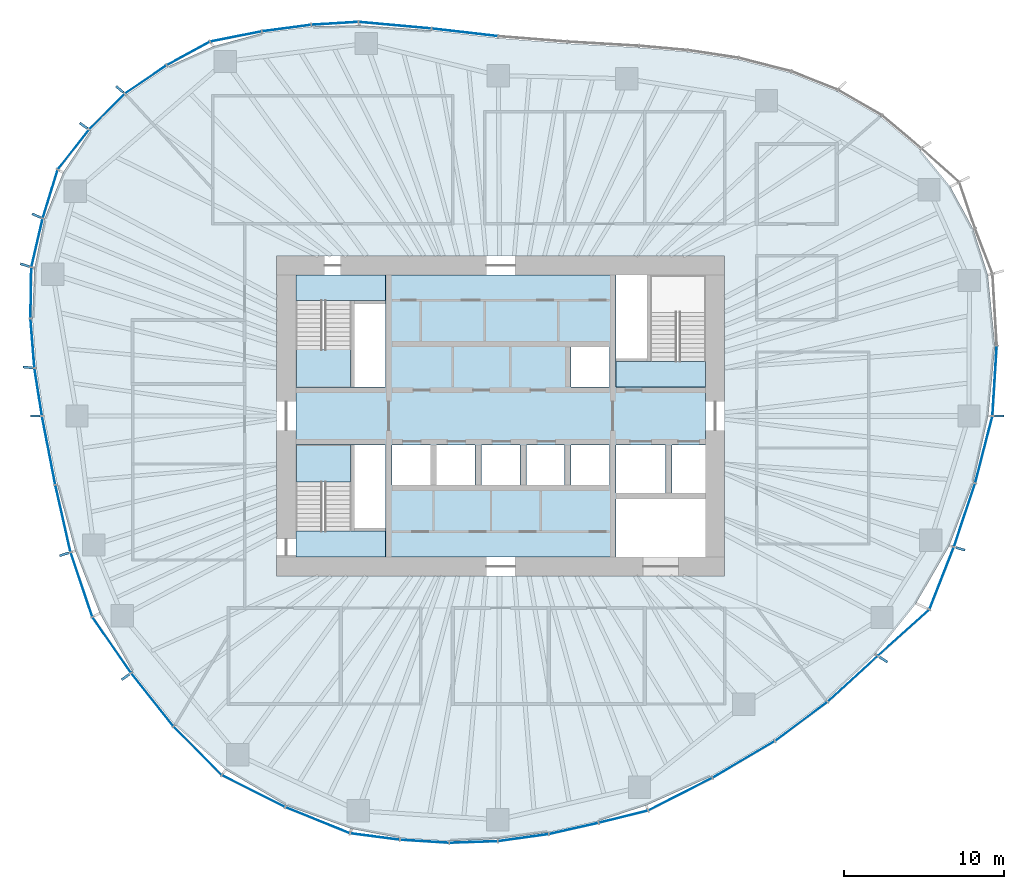
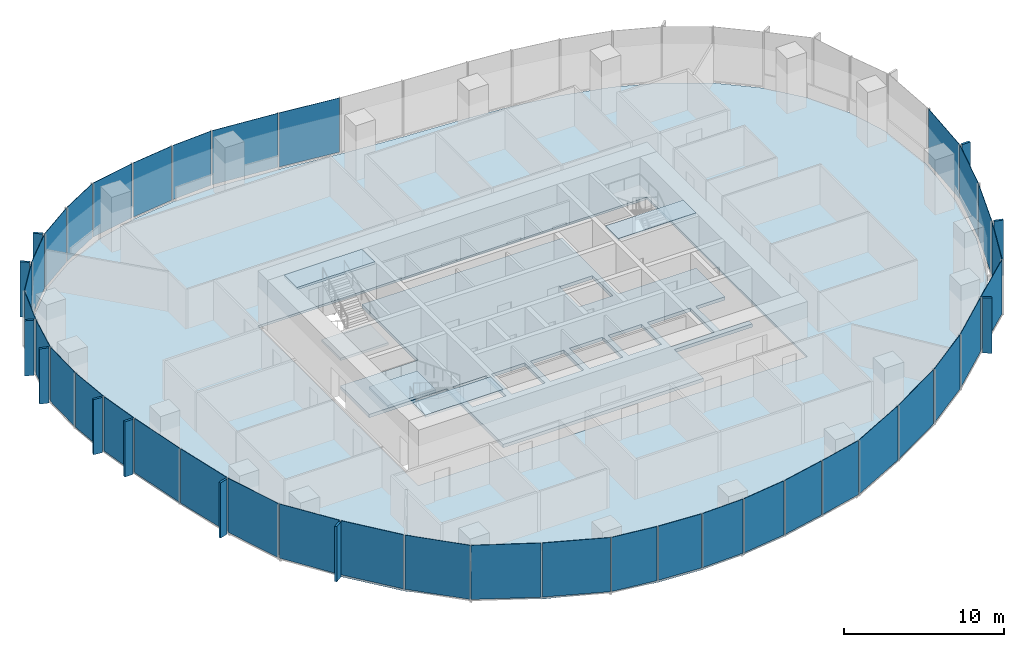
# One storey, part 7 of 18: 48 plates, 7 slabs, 19 elements without a shape of their own.
"""IFC4 building model written with IfcOpenShell, lengths in metres."""

from ifc_helpers import new_model, si_unit, direction, frame, origin, origin_2d, place, context, subcontext, project, spatial, polyline, rectangle, outline, extrude, material, layer, layer_set, type_object, element, aggregate, save


model = new_model("IFC4")

# Units and contexts
model_context = context("Model", 3, precision=1e-05, world=origin(), true_north=direction((0.0, 1.0)))
body_context = subcontext(model_context, "Body", "Model", "MODEL_VIEW")
ifc_project = project(units=[si_unit("LENGTHUNIT", "METRE"), si_unit("AREAUNIT", "SQUARE_METRE"), si_unit("VOLUMEUNIT", "CUBIC_METRE"), si_unit("PLANEANGLEUNIT", "RADIAN"), si_unit("MASSUNIT", "GRAM", prefix="KILO")], contexts=[model_context])

# Site, building, storey
site_placement = place(None, origin())
site = spatial("IfcSite", under=ifc_project, at=site_placement, CompositionType="ELEMENT")
building_placement = place(site_placement, origin())
building = spatial("IfcBuilding", under=site, at=building_placement, Name="Ghaith Harvest Tower", CompositionType="ELEMENT")
storey_placement = place(building_placement, frame((0.0, 0.0, 151.199951171875)))
storey = spatial("IfcBuildingStorey", under=building, at=storey_placement, Name="L32", CompositionType="ELEMENT", Elevation=151.199951171875)

# Curtain wall, plate
ifc_material_1 = material(Name="Black anodised aluminium and fritted glass", Category="aluminium")
curtain_wall_type = type_object("IfcCurtainWallType", Name="CW-L CURTAIN WALL", PredefinedType="NOTDEFINED", material=ifc_material_1)
curtain_wall_1_placement = place(storey_placement, origin())
curtain_wall_1 = element("IfcCurtainWall", 1, at=curtain_wall_1_placement, inside=storey, type_object=curtain_wall_type, Name="Curtain wall CW-L bay 01 L32", PredefinedType="NOTDEFINED")
ifc_material_2 = material(Name="Glass, dark solar-control fritted double glazed unit", Category="glass")
ifc_layer_1 = layer(ifc_material_2, 0.031982421875)
ifc_layer_set_1 = layer_set([ifc_layer_1], Name="CW-L VISION PANEL")
plate_type_1 = type_object("IfcPlateType", Name="CW-L VISION PANEL", PredefinedType="CURTAIN_PANEL", material=ifc_layer_set_1)
plate_1_placement = place(storey_placement, frame((30.86376953125, 2.19482421875, 0.080078125), z_axis=(0.0, 0.0, 1.0), x_axis=(0.061379619468, 0.99811449359, 0.0)))
plate_1 = element("IfcPlate", 2, at=plate_1_placement, type_object=plate_type_1, Name="CW-L glass unit 1 bay 01 L32", PredefinedType="CURTAIN_PANEL", context=body_context, shape_type="SweptSolid", body=[
    extrude(rectangle(XDim=4.318115234375, YDim=0.031982421875, at=origin_2d()), origin(), (0.0, 0.0, 1.0), 4.1201171875),
])
aggregate(curtain_wall_1, [plate_1])

# Curtain wall, plates
curtain_wall_2_placement = place(storey_placement, origin())
curtain_wall_2 = element("IfcCurtainWall", 3, at=curtain_wall_2_placement, inside=storey, type_object=curtain_wall_type, Name="Curtain wall CW-L bay 06 L32", PredefinedType="NOTDEFINED")
plate_2_placement = place(storey_placement, frame((-2.24267578125, 23.968505859375, 0.080078125), z_axis=(0.0, 0.0, 1.0), x_axis=(-0.993477024646, 0.114032458099, 0.0)))
plate_2 = element("IfcPlate", 4, at=plate_2_placement, type_object=plate_type_1, Name="CW-L glass unit 1 bay 06 L32", PredefinedType="CURTAIN_PANEL", context=body_context, shape_type="SweptSolid", body=[
    extrude(rectangle(XDim=4.10791015625, YDim=0.031982421875, at=origin_2d()), origin(), (0.0, 0.0, 1.0), 4.1201171875),
])
plate_3_placement = place(storey_placement, frame((-6.607666015625, 24.4140625, 0.080078125), z_axis=(0.0, 0.0, 1.0), x_axis=(-0.995928776302, 0.090143621701, 0.0)))
plate_3 = element("IfcPlate", 5, at=plate_3_placement, type_object=plate_type_1, Name="CW-L glass unit 2 bay 06 L32", PredefinedType="CURTAIN_PANEL", context=body_context, shape_type="SweptSolid", body=[
    extrude(rectangle(XDim=4.508056640625, YDim=0.031982421875, at=origin_2d()), origin(), (0.0, 0.0, 1.0), 4.1201171875),
])
aggregate(curtain_wall_2, [plate_2, plate_3])

curtain_wall_3_placement = place(storey_placement, origin())
curtain_wall_3 = element("IfcCurtainWall", 6, at=curtain_wall_3_placement, inside=storey, type_object=curtain_wall_type, Name="Curtain wall CW-L bay 07 L32", PredefinedType="NOTDEFINED")
plate_4_placement = place(storey_placement, frame((-10.36669921875, 24.5302734375, 0.080078125), z_axis=(0.0, 0.0, 1.0), x_axis=(-0.998119199641, -0.061303044853, 0.0)))
plate_4 = element("IfcPlate", 7, at=plate_4_placement, type_object=plate_type_1, Name="CW-L glass unit 1 bay 07 L32", PredefinedType="CURTAIN_PANEL", context=body_context, shape_type="SweptSolid", body=[
    extrude(rectangle(XDim=2.874267578125, YDim=0.031982421875, at=origin_2d()), origin(), (0.0, 0.0, 1.0), 4.1201171875),
])
plate_5_placement = place(storey_placement, frame((-13.382568359375, 24.23486328125, 0.080078125), z_axis=(0.0, 0.0, 1.0), x_axis=(-0.991285895369, -0.131728029071, 0.0)))
plate_5 = element("IfcPlate", 8, at=plate_5_placement, type_object=plate_type_1, Name="CW-L glass unit 2 bay 07 L32", PredefinedType="CURTAIN_PANEL", context=body_context, shape_type="SweptSolid", body=[
    extrude(rectangle(XDim=3.02978515625, YDim=0.031982421875, at=origin_2d()), origin(), (0.0, 0.0, 1.0), 4.1201171875),
])
plate_6_placement = place(storey_placement, frame((-16.54443359375, 23.7099609375, 0.080078125), z_axis=(0.0, 0.0, 1.0), x_axis=(-0.981037550101, -0.193817763096, 0.0)))
plate_6 = element("IfcPlate", 9, at=plate_6_placement, type_object=plate_type_1, Name="CW-L glass unit 3 bay 07 L32", PredefinedType="CURTAIN_PANEL", context=body_context, shape_type="SweptSolid", body=[
    extrude(rectangle(XDim=3.22412109375, YDim=0.031982421875, at=origin_2d()), origin(), (0.0, 0.0, 1.0), 4.1201171875),
])
aggregate(curtain_wall_3, [plate_4, plate_5, plate_6])

curtain_wall_4_placement = place(storey_placement, origin())
curtain_wall_4 = element("IfcCurtainWall", 10, at=curtain_wall_4_placement, inside=storey, type_object=curtain_wall_type, Name="Curtain wall CW-L bay 08 L32", PredefinedType="NOTDEFINED")
plate_7_placement = place(storey_placement, frame((-19.520263671875, 22.650634765625, 0.080078125), z_axis=(0.0, 0.0, 1.0), x_axis=(-0.877940384665, -0.478769966659, 0.0)))
plate_7 = element("IfcPlate", 11, at=plate_7_placement, type_object=plate_type_1, Name="CW-L glass unit 1 bay 08 L32", PredefinedType="CURTAIN_PANEL", context=body_context, shape_type="SweptSolid", body=[
    extrude(rectangle(XDim=3.007080078125, YDim=0.031982421875, at=origin_2d()), origin(), (0.0, 0.0, 1.0), 4.1201171875),
])
plate_8_placement = place(storey_placement, frame((-22.182373046875, 21.025390625, 0.080078125), z_axis=(0.0, 0.0, 1.0), x_axis=(-0.827674847773, -0.561207935051, 0.0)))
plate_8 = element("IfcPlate", 12, at=plate_8_placement, type_object=plate_type_1, Name="CW-L glass unit 2 bay 08 L32", PredefinedType="CURTAIN_PANEL", context=body_context, shape_type="SweptSolid", body=[
    extrude(rectangle(XDim=3.078369140625, YDim=0.031982421875, at=origin_2d()), origin(), (0.0, 0.0, 1.0), 4.1201171875),
])
plate_9_placement = place(storey_placement, frame((-24.603759765625, 19.01708984375, 0.080078125), z_axis=(0.0, 0.0, 1.0), x_axis=(-0.704613943896, -0.709590861037, 0.0)))
plate_9 = element("IfcPlate", 13, at=plate_9_placement, type_object=plate_type_1, Name="CW-L glass unit 3 bay 08 L32", PredefinedType="CURTAIN_PANEL", context=body_context, shape_type="SweptSolid", body=[
    extrude(rectangle(XDim=3.0830078125, YDim=0.031982421875, at=origin_2d()), origin(), (0.0, 0.0, 1.0), 4.1201171875),
])
aggregate(curtain_wall_4, [plate_7, plate_8, plate_9])

curtain_wall_5_placement = place(storey_placement, origin())
curtain_wall_5 = element("IfcCurtainWall", 14, at=curtain_wall_5_placement, inside=storey, type_object=curtain_wall_type, Name="Curtain wall CW-L bay 09 L32", PredefinedType="NOTDEFINED")
plate_10_placement = place(storey_placement, frame((-26.69873046875, 16.644775390625, 0.080078125), z_axis=(0.0, 0.0, 1.0), x_axis=(-0.617140806324, -0.786852734106, 0.0)))
plate_10 = element("IfcPlate", 15, at=plate_10_placement, type_object=plate_type_1, Name="CW-L glass unit 1 bay 09 L32", PredefinedType="CURTAIN_PANEL", context=body_context, shape_type="SweptSolid", body=[
    extrude(rectangle(XDim=3.09765625, YDim=0.031982421875, at=origin_2d()), origin(), (0.0, 0.0, 1.0), 4.1201171875),
])
plate_11_placement = place(storey_placement, frame((-28.14794921875, 13.869140625, 0.080078125), z_axis=(0.0, 0.0, 1.0), x_axis=(-0.293802674087, -0.955866093498, 0.0)))
plate_11 = element("IfcPlate", 16, at=plate_11_placement, type_object=plate_type_1, Name="CW-L glass unit 2 bay 09 L32", PredefinedType="CURTAIN_PANEL", context=body_context, shape_type="SweptSolid", body=[
    extrude(rectangle(XDim=3.111328125, YDim=0.031982421875, at=origin_2d()), origin(), (0.0, 0.0, 1.0), 4.1201171875),
])
plate_12_placement = place(storey_placement, frame((-28.9716796875, 10.819091796875, 0.080078125), z_axis=(0.0, 0.0, 1.0), x_axis=(-0.226698962458, -0.973964876379, 0.0)))
plate_12 = element("IfcPlate", 17, at=plate_12_placement, type_object=plate_type_1, Name="CW-L glass unit 3 bay 09 L32", PredefinedType="CURTAIN_PANEL", context=body_context, shape_type="SweptSolid", body=[
    extrude(rectangle(XDim=3.05126953125, YDim=0.031982421875, at=origin_2d()), origin(), (0.0, 0.0, 1.0), 4.1201171875),
])
aggregate(curtain_wall_5, [plate_10, plate_11, plate_12])

curtain_wall_6_placement = place(storey_placement, origin())
curtain_wall_6 = element("IfcCurtainWall", 18, at=curtain_wall_6_placement, inside=storey, type_object=curtain_wall_type, Name="Curtain wall CW-L bay 10 L32", PredefinedType="NOTDEFINED")
plate_13_placement = place(storey_placement, frame((-29.352294921875, 7.695068359375, 0.080078125), z_axis=(0.0, 0.0, 1.0), x_axis=(-0.016034106433, -0.999871445452, 0.0)))
plate_13 = element("IfcPlate", 19, at=plate_13_placement, type_object=plate_type_1, Name="CW-L glass unit 1 bay 10 L32", PredefinedType="CURTAIN_PANEL", context=body_context, shape_type="SweptSolid", body=[
    extrude(rectangle(XDim=3.118408203125, YDim=0.031982421875, at=origin_2d()), origin(), (0.0, 0.0, 1.0), 4.1201171875),
])
plate_14_placement = place(storey_placement, frame((-29.25439453125, 4.54345703125, 0.080078125), z_axis=(0.0, 0.0, 1.0), x_axis=(0.079273335663, -0.996852917061, 0.0)))
plate_14 = element("IfcPlate", 20, at=plate_14_placement, type_object=plate_type_1, Name="CW-L glass unit 2 bay 10 L32", PredefinedType="CURTAIN_PANEL", context=body_context, shape_type="SweptSolid", body=[
    extrude(rectangle(XDim=3.035400390625, YDim=0.031982421875, at=origin_2d()), origin(), (0.0, 0.0, 1.0), 4.1201171875),
])
plate_15_placement = place(storey_placement, frame((-28.896240234375, 1.495361328125, 0.080078125), z_axis=(0.0, 0.0, 1.0), x_axis=(0.155172175389, -0.987887440949, 0.0)))
plate_15 = element("IfcPlate", 21, at=plate_15_placement, type_object=plate_type_1, Name="CW-L glass unit 3 bay 10 L32", PredefinedType="CURTAIN_PANEL", context=body_context, shape_type="SweptSolid", body=[
    extrude(rectangle(XDim=2.947265625, YDim=0.031982421875, at=origin_2d()), origin(), (0.0, 0.0, 1.0), 4.1201171875),
])
aggregate(curtain_wall_6, [plate_13, plate_14, plate_15])

curtain_wall_7_placement = place(storey_placement, origin())
curtain_wall_7 = element("IfcCurtainWall", 22, at=curtain_wall_7_placement, inside=storey, type_object=curtain_wall_type, Name="Curtain wall CW-L bay 11 L32", PredefinedType="NOTDEFINED")
plate_16_placement = place(storey_placement, frame((-28.24462890625, -2.152099609375, 0.080078125), z_axis=(0.0, 0.0, 1.0), x_axis=(0.190044913274, -0.981775397399, 0.0)))
plate_16 = element("IfcPlate", 23, at=plate_16_placement, type_object=plate_type_1, Name="CW-L glass unit 1 bay 11 L32", PredefinedType="CURTAIN_PANEL", context=body_context, shape_type="SweptSolid", body=[
    extrude(rectangle(XDim=4.303955078125, YDim=0.031982421875, at=origin_2d()), origin(), (0.0, 0.0, 1.0), 4.1201171875),
])
plate_17_placement = place(storey_placement, frame((-27.351806640625, -6.41064453125, 0.080078125), z_axis=(0.0, 0.0, 1.0), x_axis=(0.220483469245, -0.975390711351, 0.0)))
plate_17 = element("IfcPlate", 24, at=plate_17_placement, type_object=plate_type_1, Name="CW-L glass unit 2 bay 11 L32", PredefinedType="CURTAIN_PANEL", context=body_context, shape_type="SweptSolid", body=[
    extrude(rectangle(XDim=4.239501953125, YDim=0.031982421875, at=origin_2d()), origin(), (0.0, 0.0, 1.0), 4.1201171875),
])
aggregate(curtain_wall_7, [plate_16, plate_17])

curtain_wall_8_placement = place(storey_placement, origin())
curtain_wall_8 = element("IfcCurtainWall", 25, at=curtain_wall_8_placement, inside=storey, type_object=curtain_wall_type, Name="Curtain wall CW-L bay 12 L32", PredefinedType="NOTDEFINED")
plate_18_placement = place(storey_placement, frame((-26.194580078125, -10.537841796875, 0.080078125), z_axis=(0.0, 0.0, 1.0), x_axis=(0.319477383729, -0.947593901039, 0.0)))
plate_18 = element("IfcPlate", 26, at=plate_18_placement, type_object=plate_type_1, Name="CW-L glass unit 1 bay 12 L32", PredefinedType="CURTAIN_PANEL", context=body_context, shape_type="SweptSolid", body=[
    extrude(rectangle(XDim=4.184326171875, YDim=0.031982421875, at=origin_2d()), origin(), (0.0, 0.0, 1.0), 4.1201171875),
])
plate_19_placement = place(storey_placement, frame((-24.3017578125, -14.312255859375, 0.080078125), z_axis=(0.0, 0.0, 1.0), x_axis=(0.568347699633, -0.822788485774, 0.0)))
plate_19 = element("IfcPlate", 27, at=plate_19_placement, type_object=plate_type_1, Name="CW-L glass unit 2 bay 12 L32", PredefinedType="CURTAIN_PANEL", context=body_context, shape_type="SweptSolid", body=[
    extrude(rectangle(XDim=4.18359375, YDim=0.031982421875, at=origin_2d()), origin(), (0.0, 0.0, 1.0), 4.1201171875),
])
aggregate(curtain_wall_8, [plate_18, plate_19])

curtain_wall_9_placement = place(storey_placement, origin())
curtain_wall_9 = element("IfcCurtainWall", 28, at=curtain_wall_9_placement, inside=storey, type_object=curtain_wall_type, Name="Curtain wall CW-L bay 13 L32", PredefinedType="NOTDEFINED")
plate_20_placement = place(storey_placement, frame((-21.765625, -17.7314453125, 0.080078125), z_axis=(0.0, 0.0, 1.0), x_axis=(0.622507360482, -0.782613944513, 0.0)))
plate_20 = element("IfcPlate", 29, at=plate_20_placement, type_object=plate_type_1, Name="CW-L glass unit 1 bay 13 L32", PredefinedType="CURTAIN_PANEL", context=body_context, shape_type="SweptSolid", body=[
    extrude(rectangle(XDim=4.175537109375, YDim=0.031982421875, at=origin_2d()), origin(), (0.0, 0.0, 1.0), 4.1201171875),
])
plate_21_placement = place(storey_placement, frame((-18.935791015625, -20.920166015625, 0.080078125), z_axis=(0.0, 0.0, 1.0), x_axis=(0.702843151286, -0.711344856375, 0.0)))
plate_21 = element("IfcPlate", 30, at=plate_21_placement, type_object=plate_type_1, Name="CW-L glass unit 2 bay 13 L32", PredefinedType="CURTAIN_PANEL", context=body_context, shape_type="SweptSolid", body=[
    extrude(rectangle(XDim=4.203369140625, YDim=0.031982421875, at=origin_2d()), origin(), (0.0, 0.0, 1.0), 4.1201171875),
])
aggregate(curtain_wall_9, [plate_20, plate_21])

curtain_wall_10_placement = place(storey_placement, origin())
curtain_wall_10 = element("IfcCurtainWall", 31, at=curtain_wall_10_placement, inside=storey, type_object=curtain_wall_type, Name="Curtain wall CW-L bay 14 L32", PredefinedType="NOTDEFINED")
plate_22_placement = place(storey_placement, frame((-15.44677734375, -23.443115234375, 0.080078125), z_axis=(0.0, 0.0, 1.0), x_axis=(0.893062297869, -0.449933030712, 0.0)))
plate_22 = element("IfcPlate", 32, at=plate_22_placement, type_object=plate_type_1, Name="CW-L glass unit 1 bay 14 L32", PredefinedType="CURTAIN_PANEL", context=body_context, shape_type="SweptSolid", body=[
    extrude(rectangle(XDim=4.362548828125, YDim=0.031982421875, at=origin_2d()), origin(), (0.0, 0.0, 1.0), 4.1201171875),
])
plate_23_placement = place(storey_placement, frame((-11.441162109375, -25.260498046875, 0.080078125), z_axis=(0.0, 0.0, 1.0), x_axis=(0.927002522537, -0.375055093567, 0.0)))
plate_23 = element("IfcPlate", 33, at=plate_23_placement, type_object=plate_type_1, Name="CW-L glass unit 2 bay 14 L32", PredefinedType="CURTAIN_PANEL", context=body_context, shape_type="SweptSolid", body=[
    extrude(rectangle(XDim=4.282470703125, YDim=0.031982421875, at=origin_2d()), origin(), (0.0, 0.0, 1.0), 4.1201171875),
])
aggregate(curtain_wall_10, [plate_22, plate_23])

curtain_wall_11_placement = place(storey_placement, origin())
curtain_wall_11 = element("IfcCurtainWall", 34, at=curtain_wall_11_placement, inside=storey, type_object=curtain_wall_type, Name="Curtain wall CW-L bay 15 L32", PredefinedType="NOTDEFINED")
plate_24_placement = place(storey_placement, frame((-7.856689453125, -26.281005859375, 0.080078125), z_axis=(0.0, 0.0, 1.0), x_axis=(0.99172348392, -0.128392100386, 0.0)))
plate_24 = element("IfcPlate", 35, at=plate_24_placement, type_object=plate_type_1, Name="CW-L glass unit 1 bay 15 L32", PredefinedType="CURTAIN_PANEL", context=body_context, shape_type="SweptSolid", body=[
    extrude(rectangle(XDim=3.07080078125, YDim=0.031982421875, at=origin_2d()), origin(), (0.0, 0.0, 1.0), 4.1201171875),
])
plate_25_placement = place(storey_placement, frame((-4.7568359375, -26.57958984375, 0.080078125), z_axis=(0.0, 0.0, 1.0), x_axis=(0.998038280843, -0.062606628824, 0.0)))
plate_25 = element("IfcPlate", 36, at=plate_25_placement, type_object=plate_type_1, Name="CW-L glass unit 2 bay 15 L32", PredefinedType="CURTAIN_PANEL", context=body_context, shape_type="SweptSolid", body=[
    extrude(rectangle(XDim=3.001220703125, YDim=0.031982421875, at=origin_2d()), origin(), (0.0, 0.0, 1.0), 4.1201171875),
])
plate_26_placement = place(storey_placement, frame((-1.700439453125, -26.624755859375, 0.080078125), z_axis=(0.0, 0.0, 1.0), x_axis=(0.999431515426, 0.033714180603, 0.0)))
plate_26 = element("IfcPlate", 37, at=plate_26_placement, type_object=plate_type_1, Name="CW-L glass unit 3 bay 15 L32", PredefinedType="CURTAIN_PANEL", context=body_context, shape_type="SweptSolid", body=[
    extrude(rectangle(XDim=2.958984375, YDim=0.031982421875, at=origin_2d()), origin(), (0.0, 0.0, 1.0), 4.1201171875),
])
aggregate(curtain_wall_11, [plate_24, plate_25, plate_26])

curtain_wall_12_placement = place(storey_placement, origin())
curtain_wall_12 = element("IfcCurtainWall", 38, at=curtain_wall_12_placement, inside=storey, type_object=curtain_wall_type, Name="Curtain wall CW-L bay 16 L32", PredefinedType="NOTDEFINED")
plate_27_placement = place(storey_placement, frame((1.4140625, -26.3515625, 0.080078125), z_axis=(0.0, 0.0, 1.0), x_axis=(0.990448098003, 0.137886058621, 0.0)))
plate_27 = element("IfcPlate", 39, at=plate_27_placement, type_object=plate_type_1, Name="CW-L glass unit 1 bay 16 L32", PredefinedType="CURTAIN_PANEL", context=body_context, shape_type="SweptSolid", body=[
    extrude(rectangle(XDim=3.142578125, YDim=0.031982421875, at=origin_2d()), origin(), (0.0, 0.0, 1.0), 4.1201171875),
])
plate_28_placement = place(storey_placement, frame((4.565185546875, -25.77734375, 0.080078125), z_axis=(0.0, 0.0, 1.0), x_axis=(0.975341754172, 0.220699937852, 0.0)))
plate_28 = element("IfcPlate", 40, at=plate_28_placement, type_object=plate_type_1, Name="CW-L glass unit 2 bay 16 L32", PredefinedType="CURTAIN_PANEL", context=body_context, shape_type="SweptSolid", body=[
    extrude(rectangle(XDim=3.10888671875, YDim=0.031982421875, at=origin_2d()), origin(), (0.0, 0.0, 1.0), 4.1201171875),
])
plate_29_placement = place(storey_placement, frame((7.66845703125, -25.0400390625, 0.080078125), z_axis=(0.0, 0.0, 1.0), x_axis=(0.970384283801, 0.241566433413, 0.0)))
plate_29 = element("IfcPlate", 41, at=plate_29_placement, type_object=plate_type_1, Name="CW-L glass unit 3 bay 16 L32", PredefinedType="CURTAIN_PANEL", context=body_context, shape_type="SweptSolid", body=[
    extrude(rectangle(XDim=3.111083984375, YDim=0.031982421875, at=origin_2d()), origin(), (0.0, 0.0, 1.0), 4.1201171875),
])
aggregate(curtain_wall_12, [plate_27, plate_28, plate_29])

curtain_wall_13_placement = place(storey_placement, origin())
curtain_wall_13 = element("IfcCurtainWall", 42, at=curtain_wall_13_placement, inside=storey, type_object=curtain_wall_type, Name="Curtain wall CW-L bay 17 L32", PredefinedType="NOTDEFINED")
plate_30_placement = place(storey_placement, frame((11.220703125, -23.63427734375, 0.080078125), z_axis=(0.0, 0.0, 1.0), x_axis=(0.891126766056, 0.453754434489, 0.0)))
plate_30 = element("IfcPlate", 43, at=plate_30_placement, type_object=plate_type_1, Name="CW-L glass unit 1 bay 17 L32", PredefinedType="CURTAIN_PANEL", context=body_context, shape_type="SweptSolid", body=[
    extrude(rectangle(XDim=4.417236328125, YDim=0.031982421875, at=origin_2d()), origin(), (0.0, 0.0, 1.0), 4.1201171875),
])
plate_31_placement = place(storey_placement, frame((15.17822265625, -21.46484375, 0.080078125), z_axis=(0.0, 0.0, 1.0), x_axis=(0.861979497965, 0.506943137924, 0.0)))
plate_31 = element("IfcPlate", 44, at=plate_31_placement, type_object=plate_type_1, Name="CW-L glass unit 2 bay 17 L32", PredefinedType="CURTAIN_PANEL", context=body_context, shape_type="SweptSolid", body=[
    extrude(rectangle(XDim=4.453125, YDim=0.031982421875, at=origin_2d()), origin(), (0.0, 0.0, 1.0), 4.1201171875),
])
aggregate(curtain_wall_13, [plate_30, plate_31])

curtain_wall_14_placement = place(storey_placement, origin())
curtain_wall_14 = element("IfcCurtainWall", 45, at=curtain_wall_14_placement, inside=storey, type_object=curtain_wall_type, Name="Curtain wall CW-L bay 18 L32", PredefinedType="NOTDEFINED")
plate_32_placement = place(storey_placement, frame((18.78076171875, -19.08984375, 0.080078125), z_axis=(0.0, 0.0, 1.0), x_axis=(0.802462370117, 0.596702727115, 0.0)))
plate_32 = element("IfcPlate", 46, at=plate_32_placement, type_object=plate_type_1, Name="CW-L glass unit 1 bay 18 L32", PredefinedType="CURTAIN_PANEL", context=body_context, shape_type="SweptSolid", body=[
    extrude(rectangle(XDim=4.029541015625, YDim=0.031982421875, at=origin_2d()), origin(), (0.0, 0.0, 1.0), 4.1201171875),
])
plate_33_placement = place(storey_placement, frame((21.9951171875, -16.428955078125, 0.080078125), z_axis=(0.0, 0.0, 1.0), x_axis=(0.737201663563, 0.675672781189, 0.0)))
plate_33 = element("IfcPlate", 47, at=plate_33_placement, type_object=plate_type_1, Name="CW-L glass unit 2 bay 18 L32", PredefinedType="CURTAIN_PANEL", context=body_context, shape_type="SweptSolid", body=[
    extrude(rectangle(XDim=4.1669921875, YDim=0.031982421875, at=origin_2d()), origin(), (0.0, 0.0, 1.0), 4.1201171875),
])
aggregate(curtain_wall_14, [plate_32, plate_33])

curtain_wall_15_placement = place(storey_placement, origin())
curtain_wall_15 = element("IfcCurtainWall", 48, at=curtain_wall_15_placement, inside=storey, type_object=curtain_wall_type, Name="Curtain wall CW-L bay 19 L32", PredefinedType="NOTDEFINED")
plate_34_placement = place(storey_placement, frame((25.17333984375, -13.54345703125, 0.080078125), z_axis=(0.0, 0.0, 1.0), x_axis=(0.743493028761, 0.668743684968, 0.0)))
plate_34 = element("IfcPlate", 49, at=plate_34_placement, type_object=plate_type_1, Name="CW-L glass unit 1 bay 19 L32", PredefinedType="CURTAIN_PANEL", context=body_context, shape_type="SweptSolid", body=[
    extrude(rectangle(XDim=4.2587890625, YDim=0.031982421875, at=origin_2d()), origin(), (0.0, 0.0, 1.0), 4.1201171875),
])
plate_35_placement = place(storey_placement, frame((27.552978515625, -10.138916015625, 0.080078125), z_axis=(0.0, 0.0, 1.0), x_axis=(0.365226458984, 0.930918704108, 0.0)))
plate_35 = element("IfcPlate", 50, at=plate_35_placement, type_object=plate_type_1, Name="CW-L glass unit 2 bay 19 L32", PredefinedType="CURTAIN_PANEL", context=body_context, shape_type="SweptSolid", body=[
    extrude(rectangle(XDim=4.11767578125, YDim=0.031982421875, at=origin_2d()), origin(), (0.0, 0.0, 1.0), 4.1201171875),
])
aggregate(curtain_wall_15, [plate_34, plate_35])

curtain_wall_16_placement = place(storey_placement, origin())
curtain_wall_16 = element("IfcCurtainWall", 51, at=curtain_wall_16_placement, inside=storey, type_object=curtain_wall_type, Name="Curtain wall CW-L bay 20 L32", PredefinedType="NOTDEFINED")
plate_36_placement = place(storey_placement, frame((28.982666015625, -6.191650390625, 0.080078125), z_axis=(0.0, 0.0, 1.0), x_axis=(0.315708038084, 0.948856382541, 0.0)))
plate_36 = element("IfcPlate", 52, at=plate_36_placement, type_object=plate_type_1, Name="CW-L glass unit 1 bay 20 L32", PredefinedType="CURTAIN_PANEL", context=body_context, shape_type="SweptSolid", body=[
    extrude(rectangle(XDim=4.12158203125, YDim=0.031982421875, at=origin_2d()), origin(), (0.0, 0.0, 1.0), 4.1201171875),
])
plate_37_placement = place(storey_placement, frame((30.187255859375, -2.09912109375, 0.080078125), z_axis=(0.0, 0.0, 1.0), x_axis=(0.24974411022, 0.968311870944, 0.0)))
plate_37 = element("IfcPlate", 53, at=plate_37_placement, type_object=plate_type_1, Name="CW-L glass unit 2 bay 20 L32", PredefinedType="CURTAIN_PANEL", context=body_context, shape_type="SweptSolid", body=[
    extrude(rectangle(XDim=4.255615234375, YDim=0.031982421875, at=origin_2d()), origin(), (0.0, 0.0, 1.0), 4.1201171875),
])
aggregate(curtain_wall_16, [plate_36, plate_37])

# Slabs
ifc_material_3 = material(Name="Concrete C40/50", Category="concrete")
ifc_layer_2 = layer(ifc_material_3, 0.169921875)
ifc_layer_set_2 = layer_set([ifc_layer_2], Name="FLOOR SLAB 170")
slab_type_1 = type_object("IfcSlabType", Name="FLOOR SLAB 170", PredefinedType="FLOOR", material=ifc_layer_set_2)
slab_1_placement = place(storey_placement, frame((0.0, 0.0, -0.169921875)))
element("IfcSlab", 54, at=slab_1_placement, inside=storey, type_object=slab_type_1, Name="Floor slab L32", PredefinedType="FLOOR", context=body_context, shape_type="SweptSolid", body=[
    extrude(outline(polyline([(30.458740234375, 0.0), (30.8798828125, 4.373046875), (30.439208984375, 8.797607421875), (29.52294921875, 11.671875), (28.0888671875, 14.32568359375), (26.179443359375, 16.660888671875), (23.7275390625, 18.718017578125), (20.97998046875, 20.3056640625), (18.0849609375, 21.4462890625), (14.79833984375, 22.27978515625), (11.617919921875, 22.757080078125), (8.604736328125, 23.017333984375), (4.125732421875, 23.272705078125), (-0.16162109375, 23.609619140625), (-4.302001953125, 24.089111328125), (-8.814208984375, 24.404541015625), (-11.788818359375, 24.331787109375), (-14.860595703125, 23.927978515625), (-17.938232421875, 23.097412109375), (-20.79248046875, 21.82470703125), (-23.398193359375, 20.06103515625), (-25.61962890625, 17.826416015625), (-27.33837890625, 15.204833984375), (-28.506591796875, 12.29638671875), (-29.12646484375, 9.230712890625), (-29.260498046875, 6.07177734375), (-29.01171875, 2.978271484375), (-28.541259765625, 0.0), (-27.70947265625, -4.285888671875), (-26.580078125, -8.423583984375), (-25.046875, -12.32861328125), (-22.99169921875, -15.997802734375), (-20.35400390625, -19.31396484375), (-17.1728515625, -22.11181640625), (-13.4052734375, -24.33740234375), (-9.317138671875, -25.79638671875), (-6.2666015625, -26.366455078125), (-3.204833984375, -26.556884765625), (-0.180908203125, -26.423583984375), (2.99609375, -26.010009765625), (6.09228515625, -25.308837890625), (9.09423828125, -24.326904296875), (13.163818359375, -22.510498046875), (17.054443359375, -20.22412109375), (20.33935546875, -17.784912109375), (23.400390625, -14.89208984375), (25.94775390625, -11.714111328125), (28.03125, -8.1015625), (29.527099609375, -4.181396484375), (30.458740234375, 0.0)]), holes=[polyline([(-14.0, -10.0), (14.0, -10.0), (14.0, 10.0), (-14.0, 10.0), (-14.0, -10.0)])]), origin(), (0.0, 0.0, 1.0), 0.169921875),
])
ifc_material_4 = material(Name="Concrete C40/50", Category="concrete")
ifc_layer_3 = layer(ifc_material_4, 0.25)
ifc_layer_set_3 = layer_set([ifc_layer_3], Name="FLOOR SLAB 250")
slab_type_2 = type_object("IfcSlabType", Name="FLOOR SLAB 250", PredefinedType="FLOOR", material=ifc_layer_set_3)
slab_2_placement = place(storey_placement, frame((0.0, 0.0, -0.25)))
element("IfcSlab", 55, at=slab_2_placement, inside=storey, type_object=slab_type_2, Name="Core slab L32", PredefinedType="FLOOR", context=body_context, shape_type="SweptSolid", body=[
    extrude(outline(polyline([(-12.800048828125, 1.800048828125), (-7.199951171875, 1.800048828125), (-7.199951171875, 8.800048828125), (7.199951171875, 8.800048828125), (7.199951171875, 1.800048828125), (12.800048828125, 1.800048828125), (12.800048828125, -1.800048828125), (10.699951171875, -1.800048828125), (10.699951171875, -4.800048828125), (12.800048828125, -4.800048828125), (12.800048828125, -5.199951171875), (7.199951171875, -5.199951171875), (7.199951171875, -8.800048828125), (-7.199951171875, -8.800048828125), (-7.199951171875, -1.800048828125), (-12.800048828125, -1.800048828125), (-12.800048828125, 1.800048828125)]), holes=[polyline([(-4.39990234375, -4.300048828125), (-4.39990234375, -1.800048828125), (-6.800048828125, -1.800048828125), (-6.800048828125, -4.300048828125), (-4.39990234375, -4.300048828125)]), polyline([(-1.60009765625, -4.300048828125), (-1.60009765625, -1.800048828125), (-4.0, -1.800048828125), (-4.0, -4.300048828125), (-1.60009765625, -4.300048828125)]), polyline([(1.199951171875, -1.800048828125), (-1.199951171875, -1.800048828125), (-1.199951171875, -4.300048828125), (1.199951171875, -4.300048828125), (1.199951171875, -1.800048828125)]), polyline([(4.0, -4.300048828125), (4.0, -1.800048828125), (1.60009765625, -1.800048828125), (1.60009765625, -4.300048828125), (4.0, -4.300048828125)]), polyline([(10.300048828125, -4.800048828125), (10.300048828125, -1.800048828125), (7.199951171875, -1.800048828125), (7.199951171875, -4.800048828125), (10.300048828125, -4.800048828125)]), polyline([(6.800048828125, -1.800048828125), (4.39990234375, -1.800048828125), (4.39990234375, -4.300048828125), (6.800048828125, -4.300048828125), (6.800048828125, -1.800048828125)]), polyline([(6.800048828125, 1.800048828125), (6.800048828125, 4.300048828125), (4.39990234375, 4.300048828125), (4.39990234375, 1.800048828125), (6.800048828125, 1.800048828125)])]), origin(), (0.0, 0.0, 1.0), 0.25),
])

# Stair, slabs
ifc_material_5 = material(Name="Concrete C40/50, precast", Category="concrete")
stair_type = type_object("IfcStairType", Name="CORE STAIR 24R", PredefinedType="HALF_TURN_STAIR", material=ifc_material_5)
stair_1_placement = place(storey_placement, origin())
stair_1 = element("IfcStair", 56, at=stair_1_placement, inside=storey, type_object=stair_type, Name="Stair ST1 L32", PredefinedType="HALF_TURN_STAIR")
ifc_material_6 = material(Name="Concrete C40/50, precast", Category="concrete")
ifc_layer_4 = layer(ifc_material_6, 0.179931640625)
ifc_layer_set_4 = layer_set([ifc_layer_4], Name="STAIR LANDING 180")
slab_type_3 = type_object("IfcSlabType", Name="STAIR LANDING 180", PredefinedType="LANDING", material=ifc_layer_set_4)
slab_3_placement = place(storey_placement, frame((0.0, 0.0, 1.920166015625)))
slab_3 = element("IfcSlab", 57, at=slab_3_placement, type_object=slab_type_3, Name="ST1 landing 1", PredefinedType="LANDING", context=body_context, shape_type="SweptSolid", body=[
    extrude(outline(polyline([(-12.800048828125, 4.139892578125), (-12.800048828125, 1.77490234375), (-9.35009765625, 1.77490234375), (-9.35009765625, 4.139892578125), (-12.800048828125, 4.139892578125)])), origin(), (0.0, 0.0, 1.0), 0.179931640625),
])
slab_4_placement = place(storey_placement, frame((0.0, 0.0, 4.02001953125)))
slab_4 = element("IfcSlab", 58, at=slab_4_placement, type_object=slab_type_3, Name="ST1 landing 2", PredefinedType="LANDING", context=body_context, shape_type="SweptSolid", body=[
    extrude(outline(polyline([(-12.800048828125, 8.800048828125), (-12.800048828125, 7.199951171875), (-7.199951171875, 7.199951171875), (-7.199951171875, 8.800048828125), (-12.800048828125, 8.800048828125)])), origin(), (0.0, 0.0, 1.0), 0.179931640625),
])
aggregate(stair_1, [slab_3, slab_4])

stair_2_placement = place(storey_placement, origin())
stair_2 = element("IfcStair", 59, at=stair_2_placement, inside=storey, type_object=stair_type, Name="Stair ST3 L32", PredefinedType="HALF_TURN_STAIR")
slab_5_placement = place(storey_placement, frame((0.0, 0.0, 1.920166015625)))
slab_5 = element("IfcSlab", 60, at=slab_5_placement, type_object=slab_type_3, Name="ST3 landing 1", PredefinedType="LANDING", context=body_context, shape_type="SweptSolid", body=[
    extrude(outline(polyline([(-12.800048828125, -4.139892578125), (-12.800048828125, -1.77490234375), (-9.35009765625, -1.77490234375), (-9.35009765625, -4.139892578125), (-12.800048828125, -4.139892578125)])), origin(), (0.0, 0.0, 1.0), 0.179931640625),
])
slab_6_placement = place(storey_placement, frame((0.0, 0.0, 4.02001953125)))
slab_6 = element("IfcSlab", 61, at=slab_6_placement, type_object=slab_type_3, Name="ST3 landing 2", PredefinedType="LANDING", context=body_context, shape_type="SweptSolid", body=[
    extrude(outline(polyline([(-12.800048828125, -8.800048828125), (-12.800048828125, -7.199951171875), (-7.199951171875, -7.199951171875), (-7.199951171875, -8.800048828125), (-12.800048828125, -8.800048828125)])), origin(), (0.0, 0.0, 1.0), 0.179931640625),
])
aggregate(stair_2, [slab_5, slab_6])

# Stair, slab
stair_3_placement = place(storey_placement, origin())
stair_3 = element("IfcStair", 62, at=stair_3_placement, inside=storey, type_object=stair_type, Name="Stair ST2 L32", PredefinedType="HALF_TURN_STAIR")
slab_7_placement = place(storey_placement, frame((0.0, 0.0, 4.02001953125)))
slab_7 = element("IfcSlab", 63, at=slab_7_placement, type_object=slab_type_3, Name="ST2 landing 2", PredefinedType="LANDING", context=body_context, shape_type="SweptSolid", body=[
    extrude(outline(polyline([(12.800048828125, 1.800048828125), (12.800048828125, 3.39990234375), (7.199951171875, 3.39990234375), (7.199951171875, 1.800048828125), (12.800048828125, 1.800048828125)])), origin(), (0.0, 0.0, 1.0), 0.179931640625),
])
aggregate(stair_3, [slab_7])

# Plates
ifc_material_7 = material(Name="Glassfibre-reinforced concrete", Category="concrete")
ifc_layer_5 = layer(ifc_material_7, 0.14990234375)
ifc_layer_set_5 = layer_set([ifc_layer_5], Name="SUN-BREAKER FIN 600x150")
plate_type_2 = type_object("IfcPlateType", Name="SUN-BREAKER FIN 600x150", PredefinedType="USERDEFINED", material=ifc_layer_set_5)
for number, where, z_axis, x_axis, name in (
    (64, (31.148681640625, 0.0, 0.0), (0.0, 0.0, 1.0), (1.0, 0.0, 0.0), "Sun-breaker fin CW-L 1 bay 01 L32"),
    (65, (-23.808349609375, 20.41259765625, 0.0), (0.0, 0.0, 1.0), (-0.759169742643, 0.650892696115, 0.0), "Sun-breaker fin CW-L 3 bay 08 L32"),
    (66, (-26.06298828125, 18.134765625, 0.0), (0.0, 0.0, 1.0), (-0.820845486523, 0.571150319316, 0.0), "Sun-breaker fin CW-L 1 bay 09 L32"),
    (67, (-29.00244140625, 12.51025390625, 0.0), (0.0, 0.0, 1.0), (-0.918217993215, 0.396075392995, 0.0), "Sun-breaker fin CW-L 3 bay 09 L32"),
    (68, (-29.72705078125, 9.4208984375, 0.0), (0.0, 0.0, 1.0), (-0.953273219358, 0.302109531884, 0.0), "Sun-breaker fin CW-L 1 bay 10 L32"),
    (69, (-29.548828125, 3.033447265625, 0.0), (0.0, 0.0, 1.0), (-0.994771752973, 0.102123256344, 0.0), "Sun-breaker fin CW-L 3 bay 10 L32"),
    (70, (-29.081298828125, 0.0, 0.0), (0.0, 0.0, 1.0), (-1.0, -4.19e-10, 0.0), "Sun-breaker fin CW-L 1 bay 11 L32"),
    (71, (-27.276123046875, -8.644287109375, 0.0), (0.0, 0.0, 1.0), (-0.953273219416, -0.302109531701, 0.0), "Sun-breaker fin CW-L 1 bay 12 L32"),
    (72, (-23.434814453125, -16.30615234375, 0.0), (0.0, 0.0, 1.0), (-0.820845486622, -0.571150319173, 0.0), "Sun-breaker fin CW-L 1 bay 13 L32"),
    (73, (23.914794921875, -15.2197265625, 0.0), (0.0, 0.0, 1.0), (0.84364397137, -0.536903016913, 0.0), "Sun-breaker fin CW-L 1 bay 19 L32"),
    (74, (28.722900390625, -8.301513671875, 0.0), (0.0, 0.0, 1.0), (0.960680349932, -0.277656739976, 0.0), "Sun-breaker fin CW-L 1 bay 20 L32"),
):
    element("IfcPlate", number, at=place(storey_placement, frame(where, z_axis=z_axis, x_axis=x_axis)), inside=storey, type_object=plate_type_2, Name=name, ObjectType="SUN-BREAKER FIN", PredefinedType="USERDEFINED", context=body_context, shape_type="SweptSolid", body=[
        extrude(rectangle(XDim=0.60009765625, YDim=0.14990234375, at=origin_2d()), origin(), (0.0, 0.0, 1.0), 4.199951171875),
    ])

save(model, "model.ifc")
